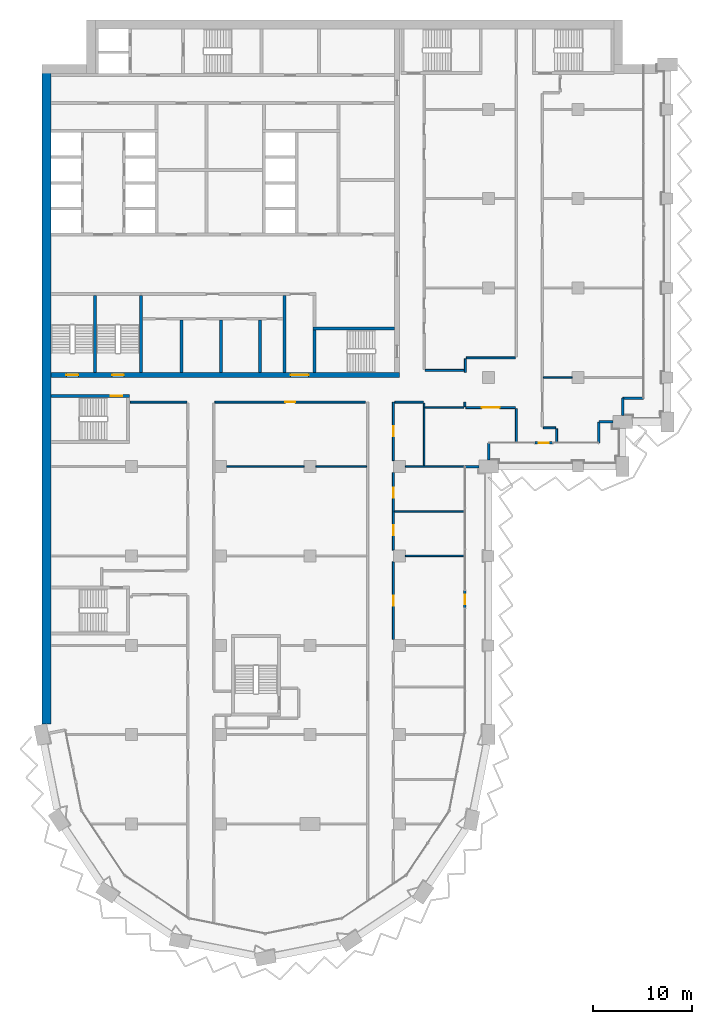
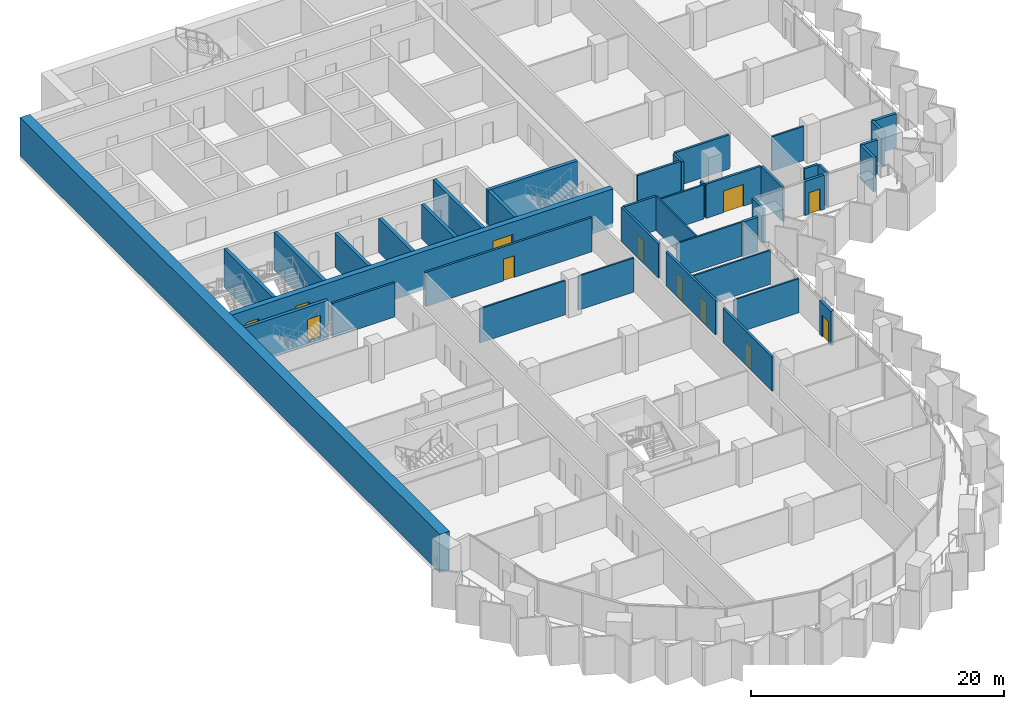
# One storey, part 11 of 22: 41 walls, 12 doors, 12 openings.
"""IFC4 building model written with IfcOpenShell, lengths in metres."""

from ifc_helpers import new_model, si_unit, direction, frame, frame_2d, origin, place, context, subcontext, project, spatial, rectangle, extrude, material, layer, layer_set, type_object, element, fill, save


model = new_model("IFC4")

# Units and contexts
model_context = context("Model", 3, precision=1e-05, world=origin(), true_north=direction((0.0, 1.0)))
body_context = subcontext(model_context, "Body", "Model", "MODEL_VIEW")
ifc_project = project(units=[si_unit("LENGTHUNIT", "METRE"), si_unit("AREAUNIT", "SQUARE_METRE"), si_unit("VOLUMEUNIT", "CUBIC_METRE"), si_unit("PLANEANGLEUNIT", "RADIAN"), si_unit("MASSUNIT", "GRAM", prefix="KILO")], contexts=[model_context])

# Site, building, storey
site_placement = place(None, origin())
site = spatial("IfcSite", under=ifc_project, at=site_placement, CompositionType="ELEMENT")
building_placement = place(site_placement, origin())
building = spatial("IfcBuilding", under=site, at=building_placement, Name="Hunhe Ridgeline Campus", CompositionType="ELEMENT")
storey_placement = place(building_placement, frame((0.0, 0.0, 141.199951171875)))
storey = spatial("IfcBuildingStorey", under=building, at=storey_placement, Name="L35", CompositionType="ELEMENT", Elevation=141.199951171875)

# Walls
ifc_material_1 = material(Name="Masonry concrete blockwork", Category="masonry")
ifc_layer_1 = layer(ifc_material_1, 0.300048828125)
ifc_layer_set_1 = layer_set([ifc_layer_1], Name="Core room partition 300 concrete block")
wall_type_1 = type_object("IfcWallType", Name="Core room partition 300 concrete block", PredefinedType="PARTITIONING", material=ifc_layer_set_1)
for number, where, z_axis, x_axis, name in (
    (1, (14.050048828125, 63.5, 0.0), (0.0, 0.0, 1.0), (0.0, 1.0, 0.0), "L35 core partition 42"),
    (2, (18.050048828125, 63.5, 0.0), (0.0, 0.0, 1.0), (0.0, 1.0, 0.0), "L35 core partition 45"),
    (3, (21.949951171875, 63.5, 0.0), (0.0, 0.0, 1.0), (0.0, 1.0, 0.0), "L35 core partition 47"),
):
    element("IfcWall", number, at=place(storey_placement, frame(where, z_axis=z_axis, x_axis=x_axis)), inside=storey, type_object=wall_type_1, Name=name, PredefinedType="PARTITIONING", context=body_context, shape_type="SweptSolid", body=[
        extrude(rectangle(XDim=5.25, YDim=0.300048828125, at=frame_2d((2.625, 0.0))), origin(), (0.0, 0.0, 1.0), 3.300048828125),
    ])
wall_1_placement = place(storey_placement, frame((24.449951171875, 63.5, 0.0), z_axis=(0.0, 0.0, 1.0), x_axis=(0.0, 1.0, 0.0)))
element("IfcWall", 4, at=wall_1_placement, inside=storey, type_object=wall_type_1, Name="L35 core partition 52", PredefinedType="PARTITIONING", context=body_context, shape_type="SweptSolid", body=[
    extrude(rectangle(XDim=7.75, YDim=0.300048828125, at=frame_2d((3.875, 0.0))), origin(), (0.0, 0.0, 1.0), 3.300048828125),
])

# Wall, openings, doors
ifc_material_2 = material(Name="Concrete C70", Category="concrete")
ifc_layer_2 = layer(ifc_material_2, 0.5)
ifc_layer_set_2 = layer_set([ifc_layer_2], Name="Core wall 500 reinforced concrete C70")
wall_type_2 = type_object("IfcWallType", Name="Core wall 500 reinforced concrete C70", PredefinedType="SOLIDWALL", material=ifc_layer_set_2)
wall_2_placement = place(storey_placement, frame((0.89990234375, 63.25, -0.39990234375), z_axis=(0.0, 0.0, 1.0), x_axis=(1.0, 0.0, 0.0)))
wall_2 = element("IfcWall", 5, at=wall_2_placement, inside=storey, type_object=wall_type_2, Name="L35 core wall 7", PredefinedType="SOLIDWALL", context=body_context, shape_type="SweptSolid", body=[
    extrude(rectangle(XDim=35.10009765625, YDim=0.5, at=frame_2d((17.550048828125, 0.0))), origin(), (0.0, 0.0, 1.0), 3.699951171875),
])
opening_1_placement = place(wall_2_placement, frame((24.14990234375, 0.0, 0.39990234375)))
opening_1 = element("IfcOpeningElement", 6, at=opening_1_placement, cuts=wall_2, Name="Opening CD6", PredefinedType="OPENING", context=body_context, shape_type="SweptSolid", body=[
    extrude(rectangle(XDim=1.800048828125, YDim=2.10009765625, at=frame_2d((0.89990234375, 1.050048828125))), frame((0.0, 0.25, 0.0), z_axis=(0.0, -1.0, 0.0), x_axis=(1.0, 0.0, 0.0)), (0.0, 0.0, 1.0), 0.5),
])
opening_2_placement = place(wall_2_placement, frame((1.550048828125, 0.0, 0.39990234375)))
opening_2 = element("IfcOpeningElement", 7, at=opening_2_placement, cuts=wall_2, Name="Opening CD13", PredefinedType="OPENING", context=body_context, shape_type="SweptSolid", body=[
    extrude(rectangle(XDim=1.199951171875, YDim=2.10009765625, at=frame_2d((0.60009765625, 1.050048828125))), frame((0.0, 0.25, 0.0), z_axis=(0.0, -1.0, 0.0), x_axis=(1.0, 0.0, 0.0)), (0.0, 0.0, 1.0), 0.5),
])
opening_3_placement = place(wall_2_placement, frame((6.14990234375, 0.0, 0.39990234375)))
opening_3 = element("IfcOpeningElement", 8, at=opening_3_placement, cuts=wall_2, Name="Opening CD14", PredefinedType="OPENING", context=body_context, shape_type="SweptSolid", body=[
    extrude(rectangle(XDim=1.199951171875, YDim=2.10009765625, at=frame_2d((0.60009765625, 1.050048828125))), frame((0.0, 0.25, 0.0), z_axis=(0.0, -1.0, 0.0), x_axis=(1.0, 0.0, 0.0)), (0.0, 0.0, 1.0), 0.5),
])
ifc_material_3 = material(Name="Anodised aluminium and glass", Category="aluminium")
door_type_1 = type_object("IfcDoorType", Name="Glazed double door 1800x2100", OperationType="DOUBLE_DOOR_SINGLE_SWING", PredefinedType="DOOR", material=ifc_material_3)
door_1_placement = place(opening_1_placement, frame((1.800048828125, 0.0, 0.0), z_axis=(0.0, 0.0, 1.0), x_axis=(-1.0, 0.0, 0.0)))
door_1 = element("IfcDoor", 9, at=door_1_placement, inside=storey, type_object=door_type_1, Name="L35 door VEST-FLOOR", OperationType="DOUBLE_DOOR_SINGLE_SWING", OverallHeight=2.10009765625, OverallWidth=1.800048828125, PredefinedType="DOOR", context=body_context, shape_type="SweptSolid", body=[
    extrude(rectangle(XDim=1.800048828125, YDim=2.10009765625, at=frame_2d((0.89990234375, 1.050048828125))), frame((0.0, 0.02490234375, 0.0), z_axis=(0.0, -1.0, 0.0), x_axis=(1.0, 0.0, 0.0)), (0.0, 0.0, 1.0), 0.050048828125),
])
fill(opening_1, door_1)
ifc_material_4 = material(Name="Hollow metal fire door leaf")
door_type_2 = type_object("IfcDoorType", Name="Stair door 1200x2100 FD60", OperationType="SINGLE_SWING_LEFT", PredefinedType="DOOR", material=ifc_material_4)
door_2_placement = place(opening_2_placement, frame((1.199951171875, 0.0, 0.0), z_axis=(0.0, 0.0, 1.0), x_axis=(-1.0, 0.0, 0.0)))
door_2 = element("IfcDoor", 10, at=door_2_placement, inside=storey, type_object=door_type_2, Name="L35 door S3", OperationType="SINGLE_SWING_RIGHT", OverallHeight=2.10009765625, OverallWidth=1.199951171875, PredefinedType="DOOR", context=body_context, shape_type="SweptSolid", body=[
    extrude(rectangle(XDim=1.199951171875, YDim=2.10009765625, at=frame_2d((0.60009765625, 1.050048828125))), frame((0.0, 0.02490234375, 0.0), z_axis=(0.0, -1.0, 0.0), x_axis=(1.0, 0.0, 0.0)), (0.0, 0.0, 1.0), 0.050048828125),
])
fill(opening_2, door_2)
door_3_placement = place(opening_3_placement, frame((1.199951171875, 0.0, 0.0), z_axis=(0.0, 0.0, 1.0), x_axis=(-1.0, 0.0, 0.0)))
door_3 = element("IfcDoor", 11, at=door_3_placement, inside=storey, type_object=door_type_2, Name="L35 door S4", OperationType="SINGLE_SWING_LEFT", OverallHeight=2.10009765625, OverallWidth=1.199951171875, PredefinedType="DOOR", context=body_context, shape_type="SweptSolid", body=[
    extrude(rectangle(XDim=1.199951171875, YDim=2.10009765625, at=frame_2d((0.60009765625, 1.050048828125))), frame((0.0, 0.02490234375, 0.0), z_axis=(0.0, -1.0, 0.0), x_axis=(1.0, 0.0, 0.0)), (0.0, 0.0, 1.0), 0.050048828125),
])
fill(opening_3, door_3)

# Walls
ifc_material_5 = material(Name="Concrete C30", Category="concrete")
ifc_layer_3 = layer(ifc_material_5, 0.25)
ifc_layer_set_3 = layer_set([ifc_layer_3], Name="Corner return wall 250 Concrete C30")
wall_type_3 = type_object("IfcWallType", Name="Corner return wall 250 Concrete C30", PredefinedType="SOLIDWALL", material=ifc_layer_set_3)
wall_3_placement = place(storey_placement, frame((42.59912109375, 54.00048828125, 0.0), z_axis=(0.0, 0.0, 1.0), x_axis=(0.999999984814, 0.000174276749, 0.0)))
element("IfcWall", 12, at=wall_3_placement, inside=storey, type_object=wall_type_3, Name="Corner return wall 2", PredefinedType="SOLIDWALL", context=body_context, shape_type="SweptSolid", body=[
    extrude(rectangle(XDim=1.40087890625, YDim=0.25, at=frame_2d((0.700439453125, 0.0))), origin(), (0.0, 0.0, 1.0), 3.300048828125),
])
wall_4_placement = place(storey_placement, frame((44.999267578125, 54.64990234375, 0.0), z_axis=(0.0, 0.0, 1.0), x_axis=(0.000278862231, 0.999999961118, 0.0)))
element("IfcWall", 13, at=wall_4_placement, inside=storey, type_object=wall_type_3, Name="Corner return wall 3", PredefinedType="SOLIDWALL", context=body_context, shape_type="SweptSolid", body=[
    extrude(rectangle(XDim=1.7509765625, YDim=0.25, at=frame_2d((0.87548828125, 0.0))), origin(), (0.0, 0.0, 1.0), 3.300048828125),
])
wall_5_placement = place(storey_placement, frame((56.09912109375, 56.40087890625, 0.0), z_axis=(0.0, 0.0, 1.0), x_axis=(0.00011626555, 0.999999993241, 0.0)))
element("IfcWall", 14, at=wall_5_placement, inside=storey, type_object=wall_type_3, Name="Corner return wall 4", PredefinedType="SOLIDWALL", context=body_context, shape_type="SweptSolid", body=[
    extrude(rectangle(XDim=2.099853515625, YDim=0.25, at=frame_2d((1.0498046875, 0.0))), origin(), (0.0, 0.0, 1.0), 3.300048828125),
])
wall_6_placement = place(storey_placement, frame((56.099365234375, 58.500732421875, 0.0), z_axis=(0.0, 0.0, 1.0), x_axis=(0.999999984809, 0.000174307127, 0.0)))
element("IfcWall", 15, at=wall_6_placement, inside=storey, type_object=wall_type_3, Name="Corner return wall 5", PredefinedType="SOLIDWALL", context=body_context, shape_type="SweptSolid", body=[
    extrude(rectangle(XDim=1.400634765625, YDim=0.25, at=frame_2d((0.7001953125, 0.0))), origin(), (0.0, 0.0, 1.0), 3.300048828125),
])
wall_7_placement = place(storey_placement, frame((58.4990234375, 59.14990234375, 0.0), z_axis=(0.0, 0.0, 1.0), x_axis=(0.000139450563, 0.999999990277, 0.0)))
element("IfcWall", 16, at=wall_7_placement, inside=storey, type_object=wall_type_3, Name="Corner return wall 6", PredefinedType="SOLIDWALL", context=body_context, shape_type="SweptSolid", body=[
    extrude(rectangle(XDim=1.750732421875, YDim=0.25, at=frame_2d((0.87548828125, 0.0))), origin(), (0.0, 0.0, 1.0), 3.300048828125),
])
wall_8_placement = place(storey_placement, frame((58.499267578125, 60.900634765625, 0.0), z_axis=(0.0, 0.0, 1.0), x_axis=(0.999999993241, 0.00011626555, 0.0)))
element("IfcWall", 17, at=wall_8_placement, inside=storey, type_object=wall_type_3, Name="Corner return wall 7", PredefinedType="SOLIDWALL", context=body_context, shape_type="SweptSolid", body=[
    extrude(rectangle(XDim=2.099853515625, YDim=0.25, at=frame_2d((1.0498046875, 0.0))), origin(), (0.0, 0.0, 1.0), 3.300048828125),
])
ifc_material_6 = material(Name="Gypsum board partition")
ifc_layer_4 = layer(ifc_material_6, 0.199951171875)
ifc_layer_set_4 = layer_set([ifc_layer_4], Name="Corridor partition 200 gypsum board on steel studs")
wall_type_4 = type_object("IfcWallType", Name="Corridor partition 200 gypsum board on steel studs", PredefinedType="PARTITIONING", material=ifc_layer_set_4)
wall_9_placement = place(storey_placement, frame((50.5, 57.90087890625, 0.0), z_axis=(0.0, 0.0, 1.0), x_axis=(1.0, 0.0, 0.0)))
element("IfcWall", 18, at=wall_9_placement, inside=storey, type_object=wall_type_4, Name="F-L35-wall-036", PredefinedType="PARTITIONING", context=body_context, shape_type="SweptSolid", body=[
    extrude(rectangle(XDim=1.2490234375, YDim=0.199951171875, at=frame_2d((0.62451171875, 0.0))), origin(), (0.0, 0.0, 1.0), 3.300048828125),
])

# Wall, opening, door
wall_10_placement = place(storey_placement, frame((47.699951171875, 59.950927734375, 0.0), z_axis=(0.0, 0.0, 1.0), x_axis=(-1.0, 0.0, 0.0)))
wall_10 = element("IfcWall", 19, at=wall_10_placement, inside=storey, type_object=wall_type_4, Name="F-L35-wall-038", PredefinedType="PARTITIONING", context=body_context, shape_type="SweptSolid", body=[
    extrude(rectangle(XDim=5.0, YDim=0.199951171875, at=frame_2d((2.5, 0.0))), origin(), (0.0, 0.0, 1.0), 3.300048828125),
])
opening_4_placement = place(wall_10_placement, frame((1.60009765625, 0.0, 0.0)))
opening_4 = element("IfcOpeningElement", 20, at=opening_4_placement, cuts=wall_10, Name="Opening RD2-029", PredefinedType="OPENING", context=body_context, shape_type="SweptSolid", body=[
    extrude(rectangle(XDim=1.800048828125, YDim=2.10009765625, at=frame_2d((0.89990234375, 1.050048828125))), frame((0.0, 0.10009765625, 0.0), z_axis=(0.0, -1.0, 0.0), x_axis=(1.0, 0.0, 0.0)), (0.0, 0.0, 1.0), 0.199951171875),
])
ifc_material_7 = material(Name="Timber door leaf", Category="wood")
door_type_3 = type_object("IfcDoorType", Name="Double fire door 1800x2100 timber FD60", OperationType="DOUBLE_DOOR_SINGLE_SWING", PredefinedType="DOOR", material=ifc_material_7)
door_4_placement = place(opening_4_placement, origin())
door_4 = element("IfcDoor", 21, at=door_4_placement, inside=storey, type_object=door_type_3, Name="F-L35-door-029", OperationType="DOUBLE_DOOR_SINGLE_SWING", OverallHeight=2.10009765625, OverallWidth=1.800048828125, PredefinedType="DOOR", context=body_context, shape_type="SweptSolid", body=[
    extrude(rectangle(XDim=1.800048828125, YDim=2.10009765625, at=frame_2d((0.89990234375, 1.050048828125))), frame((0.0, 0.02490234375, 0.0), z_axis=(0.0, -1.0, 0.0), x_axis=(1.0, 0.0, 0.0)), (0.0, 0.0, 1.0), 0.050048828125),
])
fill(opening_4, door_4)

# Wall
wall_11_placement = place(storey_placement, frame((14.60009765625, 60.5, 0.0), z_axis=(0.0, 0.0, 1.0), x_axis=(-1.0, 0.0, 0.0)))
element("IfcWall", 22, at=wall_11_placement, inside=storey, type_object=wall_type_4, Name="F-L35-wall-039", PredefinedType="PARTITIONING", context=body_context, shape_type="SweptSolid", body=[
    extrude(rectangle(XDim=5.696044921875, YDim=0.199951171875, at=frame_2d((2.84814453125, 0.0))), origin(), (0.0, 0.0, 1.0), 3.300048828125),
])

# Wall, opening, door
wall_12_placement = place(storey_placement, frame((32.580810546875, 60.5, 0.0), z_axis=(0.0, 0.0, 1.0), x_axis=(-1.0, 0.0, 0.0)))
wall_12 = element("IfcWall", 23, at=wall_12_placement, inside=storey, type_object=wall_type_4, Name="F-L35-wall-040", PredefinedType="PARTITIONING", context=body_context, shape_type="SweptSolid", body=[
    extrude(rectangle(XDim=15.180908203125, YDim=0.199951171875, at=frame_2d((7.59033203125, 0.0))), origin(), (0.0, 0.0, 1.0), 3.300048828125),
])
opening_5_placement = place(wall_12_placement, frame((7.09033203125, 0.0, 0.0)))
opening_5 = element("IfcOpeningElement", 24, at=opening_5_placement, cuts=wall_12, Name="Opening RD1-030", PredefinedType="OPENING", context=body_context, shape_type="SweptSolid", body=[
    extrude(rectangle(XDim=1.0, YDim=2.10009765625, at=frame_2d((0.5, 1.050048828125))), frame((0.0, 0.10009765625, 0.0), z_axis=(0.0, -1.0, 0.0), x_axis=(1.0, 0.0, 0.0)), (0.0, 0.0, 1.0), 0.199951171875),
])
door_type_4 = type_object("IfcDoorType", Name="Single fire door 1000x2100 timber FD60", OperationType="NOTDEFINED", PredefinedType="DOOR", material=ifc_material_7)
door_5_placement = place(opening_5_placement, origin())
door_5 = element("IfcDoor", 25, at=door_5_placement, inside=storey, type_object=door_type_4, Name="F-L35-door-030", OperationType="SINGLE_SWING_LEFT", OverallHeight=2.10009765625, OverallWidth=1.0, PredefinedType="DOOR", context=body_context, shape_type="SweptSolid", body=[
    extrude(rectangle(XDim=1.0, YDim=2.10009765625, at=frame_2d((0.5, 1.050048828125))), frame((0.0, 0.02490234375, 0.0), z_axis=(0.0, -1.0, 0.0), x_axis=(1.0, 0.0, 0.0)), (0.0, 0.0, 1.0), 0.050048828125),
])
fill(opening_5, door_5)

# Walls
wall_13_placement = place(storey_placement, frame((38.425048828125, 60.5, 0.0), z_axis=(0.0, 0.0, 1.0), x_axis=(-1.0, 0.0, 0.0)))
element("IfcWall", 26, at=wall_13_placement, inside=storey, type_object=wall_type_4, Name="F-L35-wall-041", PredefinedType="PARTITIONING", context=body_context, shape_type="SweptSolid", body=[
    extrude(rectangle(XDim=2.884765625, YDim=0.199951171875, at=frame_2d((1.4423828125, 0.0))), origin(), (0.0, 0.0, 1.0), 3.300048828125),
])
wall_14_placement = place(storey_placement, frame((38.60009765625, 63.699951171875, 0.0), z_axis=(0.0, 0.0, 1.0), x_axis=(1.0, 0.0, 0.0)))
element("IfcWall", 27, at=wall_14_placement, inside=storey, type_object=wall_type_4, Name="F-L35-wall-044", PredefinedType="PARTITIONING", context=body_context, shape_type="SweptSolid", body=[
    extrude(rectangle(XDim=3.949951171875, YDim=0.199951171875, at=frame_2d((1.97509765625, 0.0))), origin(), (0.0, 0.0, 1.0), 3.300048828125),
])
wall_15_placement = place(storey_placement, frame((42.75, 64.949951171875, 0.0), z_axis=(0.0, 0.0, 1.0), x_axis=(1.0, 0.0, 0.0)))
element("IfcWall", 28, at=wall_15_placement, inside=storey, type_object=wall_type_4, Name="F-L35-wall-045", PredefinedType="PARTITIONING", context=body_context, shape_type="SweptSolid", body=[
    extrude(rectangle(XDim=4.949951171875, YDim=0.199951171875, at=frame_2d((2.47509765625, 0.0))), origin(), (0.0, 0.0, 1.0), 3.300048828125),
])

# Wall, opening, door
wall_16_placement = place(storey_placement, frame((35.39990234375, 44.39990234375, 0.0), z_axis=(0.0, 0.0, 1.0), x_axis=(0.0, -1.0, 0.0)))
wall_16 = element("IfcWall", 29, at=wall_16_placement, inside=storey, type_object=wall_type_4, Name="F-L35-wall-072", PredefinedType="PARTITIONING", context=body_context, shape_type="SweptSolid", body=[
    extrude(rectangle(XDim=7.7998046875, YDim=0.199951171875, at=frame_2d((3.89990234375, 0.0))), origin(), (0.0, 0.0, 1.0), 3.300048828125),
])
opening_6_placement = place(wall_16_placement, frame((3.39990234375, 0.0, 0.0)))
opening_6 = element("IfcOpeningElement", 30, at=opening_6_placement, cuts=wall_16, Name="Opening RD1-017", PredefinedType="OPENING", context=body_context, shape_type="SweptSolid", body=[
    extrude(rectangle(XDim=1.0, YDim=2.10009765625, at=frame_2d((0.5, 1.050048828125))), frame((0.0, 0.10009765625, 0.0), z_axis=(0.0, -1.0, 0.0), x_axis=(1.0, 0.0, 0.0)), (0.0, 0.0, 1.0), 0.199951171875),
])
door_6_placement = place(opening_6_placement, origin())
door_6 = element("IfcDoor", 31, at=door_6_placement, inside=storey, type_object=door_type_4, Name="F-L35-door-017", OperationType="SINGLE_SWING_LEFT", OverallHeight=2.10009765625, OverallWidth=1.0, PredefinedType="DOOR", context=body_context, shape_type="SweptSolid", body=[
    extrude(rectangle(XDim=1.0, YDim=2.10009765625, at=frame_2d((0.5, 1.050048828125))), frame((0.0, 0.02490234375, 0.0), z_axis=(0.0, -1.0, 0.0), x_axis=(1.0, 0.0, 0.0)), (0.0, 0.0, 1.0), 0.050048828125),
])
fill(opening_6, door_6)

# Wall, openings, doors
wall_17_placement = place(storey_placement, frame((35.39990234375, 53.39990234375, 0.0), z_axis=(0.0, 0.0, 1.0), x_axis=(0.0, -1.0, 0.0)))
wall_17 = element("IfcWall", 32, at=wall_17_placement, inside=storey, type_object=wall_type_4, Name="F-L35-wall-073", PredefinedType="PARTITIONING", context=body_context, shape_type="SweptSolid", body=[
    extrude(rectangle(XDim=7.7998046875, YDim=0.199951171875, at=frame_2d((3.89990234375, 0.0))), origin(), (0.0, 0.0, 1.0), 3.300048828125),
])
opening_7_placement = place(wall_17_placement, frame((5.287109375, 0.0, 0.0)))
opening_7 = element("IfcOpeningElement", 33, at=opening_7_placement, cuts=wall_17, Name="Opening RD1-021", PredefinedType="OPENING", context=body_context, shape_type="SweptSolid", body=[
    extrude(rectangle(XDim=1.0, YDim=2.10009765625, at=frame_2d((0.5, 1.050048828125))), frame((0.0, 0.10009765625, 0.0), z_axis=(0.0, -1.0, 0.0), x_axis=(1.0, 0.0, 0.0)), (0.0, 0.0, 1.0), 0.199951171875),
])
opening_8_placement = place(wall_17_placement, frame((1.512939453125, 0.0, 0.0)))
opening_8 = element("IfcOpeningElement", 34, at=opening_8_placement, cuts=wall_17, Name="Opening RD1-024", PredefinedType="OPENING", context=body_context, shape_type="SweptSolid", body=[
    extrude(rectangle(XDim=1.0, YDim=2.10009765625, at=frame_2d((0.5, 1.050048828125))), frame((0.0, 0.10009765625, 0.0), z_axis=(0.0, -1.0, 0.0), x_axis=(1.0, 0.0, 0.0)), (0.0, 0.0, 1.0), 0.199951171875),
])
door_7_placement = place(opening_7_placement, origin())
door_7 = element("IfcDoor", 35, at=door_7_placement, inside=storey, type_object=door_type_4, Name="F-L35-door-021", OperationType="SINGLE_SWING_RIGHT", OverallHeight=2.10009765625, OverallWidth=1.0, PredefinedType="DOOR", context=body_context, shape_type="SweptSolid", body=[
    extrude(rectangle(XDim=1.0, YDim=2.10009765625, at=frame_2d((0.5, 1.050048828125))), frame((0.0, 0.02490234375, 0.0), z_axis=(0.0, -1.0, 0.0), x_axis=(1.0, 0.0, 0.0)), (0.0, 0.0, 1.0), 0.050048828125),
])
fill(opening_7, door_7)
door_8_placement = place(opening_8_placement, origin())
door_8 = element("IfcDoor", 36, at=door_8_placement, inside=storey, type_object=door_type_4, Name="F-L35-door-024", OperationType="SINGLE_SWING_LEFT", OverallHeight=2.10009765625, OverallWidth=1.0, PredefinedType="DOOR", context=body_context, shape_type="SweptSolid", body=[
    extrude(rectangle(XDim=1.0, YDim=2.10009765625, at=frame_2d((0.5, 1.050048828125))), frame((0.0, 0.02490234375, 0.0), z_axis=(0.0, -1.0, 0.0), x_axis=(1.0, 0.0, 0.0)), (0.0, 0.0, 1.0), 0.050048828125),
])
fill(opening_8, door_8)

# Wall, opening, door
wall_18_placement = place(storey_placement, frame((35.39990234375, 60.5, 0.0), z_axis=(0.0, 0.0, 1.0), x_axis=(0.0, -1.0, 0.0)))
wall_18 = element("IfcWall", 37, at=wall_18_placement, inside=storey, type_object=wall_type_4, Name="F-L35-wall-074", PredefinedType="PARTITIONING", context=body_context, shape_type="SweptSolid", body=[
    extrude(rectangle(XDim=5.89990234375, YDim=0.199951171875, at=frame_2d((2.949951171875, 0.0))), origin(), (0.0, 0.0, 1.0), 3.300048828125),
])
opening_9_placement = place(wall_18_placement, frame((2.449951171875, 0.0, 0.0)))
opening_9 = element("IfcOpeningElement", 38, at=opening_9_placement, cuts=wall_18, Name="Opening RD1-028", PredefinedType="OPENING", context=body_context, shape_type="SweptSolid", body=[
    extrude(rectangle(XDim=1.0, YDim=2.10009765625, at=frame_2d((0.5, 1.050048828125))), frame((0.0, 0.10009765625, 0.0), z_axis=(0.0, -1.0, 0.0), x_axis=(1.0, 0.0, 0.0)), (0.0, 0.0, 1.0), 0.199951171875),
])
door_9_placement = place(opening_9_placement, origin())
door_9 = element("IfcDoor", 39, at=door_9_placement, inside=storey, type_object=door_type_4, Name="F-L35-door-028", OperationType="SINGLE_SWING_RIGHT", OverallHeight=2.10009765625, OverallWidth=1.0, PredefinedType="DOOR", context=body_context, shape_type="SweptSolid", body=[
    extrude(rectangle(XDim=1.0, YDim=2.10009765625, at=frame_2d((0.5, 1.050048828125))), frame((0.0, 0.02490234375, 0.0), z_axis=(0.0, -1.0, 0.0), x_axis=(1.0, 0.0, 0.0)), (0.0, 0.0, 1.0), 0.050048828125),
])
fill(opening_9, door_9)

# Walls
wall_19_placement = place(storey_placement, frame((42.60009765625, 60.051025390625, 0.0), z_axis=(0.0, 0.0, 1.0), x_axis=(0.0, 1.0, 0.0)))
element("IfcWall", 40, at=wall_19_placement, inside=storey, type_object=wall_type_4, Name="F-L35-wall-077", PredefinedType="PARTITIONING", context=body_context, shape_type="SweptSolid", body=[
    extrude(rectangle(XDim=0.448974609375, YDim=0.199951171875, at=frame_2d((0.224609375, 0.0))), origin(), (0.0, 0.0, 1.0), 3.300048828125),
])
wall_20_placement = place(storey_placement, frame((42.64990234375, 63.487548828125, 0.0), z_axis=(0.0, 0.0, 1.0), x_axis=(0.0, 1.0, 0.0)))
element("IfcWall", 41, at=wall_20_placement, inside=storey, type_object=wall_type_4, Name="F-L35-wall-078", PredefinedType="PARTITIONING", context=body_context, shape_type="SweptSolid", body=[
    extrude(rectangle(XDim=1.362548828125, YDim=0.199951171875, at=frame_2d((0.68115234375, 0.0))), origin(), (0.0, 0.0, 1.0), 3.300048828125),
])
wall_21_placement = place(storey_placement, frame((47.800048828125, 56.455078125, 0.0), z_axis=(0.0, 0.0, 1.0), x_axis=(0.0, 1.0, 0.0)))
element("IfcWall", 42, at=wall_21_placement, inside=storey, type_object=wall_type_4, Name="F-L35-wall-079", PredefinedType="PARTITIONING", context=body_context, shape_type="SweptSolid", body=[
    extrude(rectangle(XDim=3.39599609375, YDim=0.199951171875, at=frame_2d((1.697998046875, 0.0))), origin(), (0.0, 0.0, 1.0), 3.300048828125),
])
wall_22_placement = place(storey_placement, frame((51.84912109375, 57.801025390625, 0.0), z_axis=(0.0, 0.0, 1.0), x_axis=(0.0, -1.0, 0.0)))
element("IfcWall", 43, at=wall_22_placement, inside=storey, type_object=wall_type_4, Name="F-L35-wall-082", PredefinedType="PARTITIONING", context=body_context, shape_type="SweptSolid", body=[
    extrude(rectangle(XDim=1.345947265625, YDim=0.199951171875, at=frame_2d((0.6728515625, 0.0))), origin(), (0.0, 0.0, 1.0), 3.300048828125),
])

# Wall, opening, door
ifc_layer_5 = layer(ifc_material_5, 0.25)
ifc_layer_set_5 = layer_set([ifc_layer_5], Name="Loggia door pier wall 250 Concrete C30")
wall_type_5 = type_object("IfcWallType", Name="Loggia door pier wall 250 Concrete C30", PredefinedType="SOLIDWALL", material=ifc_layer_set_5)
wall_23_placement = place(storey_placement, frame((42.59912109375, 39.718505859375, 0.0), z_axis=(0.0, 0.0, 1.0), x_axis=(0.0, 1.0, 0.0)))
wall_23 = element("IfcWall", 44, at=wall_23_placement, inside=storey, type_object=wall_type_5, Name="Loggia door pier 3", PredefinedType="SOLIDWALL", context=body_context, shape_type="SweptSolid", body=[
    extrude(rectangle(XDim=1.800048828125, YDim=0.25, at=frame_2d((0.89990234375, 0.0))), origin(), (0.0, 0.0, 1.0), 3.300048828125),
])
opening_10_placement = place(wall_23_placement, frame((0.39990234375, 0.0, 0.0)))
opening_10 = element("IfcOpeningElement", 45, at=opening_10_placement, cuts=wall_23, Name="Opening BD305", PredefinedType="OPENING", context=body_context, shape_type="SweptSolid", body=[
    extrude(rectangle(XDim=1.0, YDim=2.10009765625, at=frame_2d((0.5, 1.050048828125))), frame((0.0, 0.125, 0.0), z_axis=(0.0, -1.0, 0.0), x_axis=(1.0, 0.0, 0.0)), (0.0, 0.0, 1.0), 0.25),
])
ifc_material_8 = material(Name="Aluminium 6063", Category="aluminium")
door_type_5 = type_object("IfcDoorType", Name="Loggia glazed door 1000x2100", OperationType="NOTDEFINED", PredefinedType="DOOR", material=ifc_material_8)
door_10_placement = place(opening_10_placement, frame((1.0, 0.0, 0.0), z_axis=(0.0, 0.0, 1.0), x_axis=(-1.0, 0.0, 0.0)))
door_10 = element("IfcDoor", 46, at=door_10_placement, inside=storey, type_object=door_type_5, Name="Loggia door BD305", OperationType="SINGLE_SWING_RIGHT", OverallHeight=2.10009765625, OverallWidth=1.0, PredefinedType="DOOR", context=body_context, shape_type="SweptSolid", body=[
    extrude(rectangle(XDim=1.0, YDim=2.10009765625, at=frame_2d((0.5, 1.050048828125))), frame((0.0, 0.02490234375, 0.0), z_axis=(0.0, -1.0, 0.0), x_axis=(1.0, 0.0, 0.0)), (0.0, 0.0, 1.0), 0.050048828125),
])
fill(opening_10, door_10)

wall_24_placement = place(storey_placement, frame((49.6494140625, 56.40087890625, 0.0), z_axis=(0.0, 0.0, 1.0), x_axis=(1.0, 0.0, 0.0)))
wall_24 = element("IfcWall", 47, at=wall_24_placement, inside=storey, type_object=wall_type_5, Name="Loggia door pier 4", PredefinedType="SOLIDWALL", context=body_context, shape_type="SweptSolid", body=[
    extrude(rectangle(XDim=1.800048828125, YDim=0.25, at=frame_2d((0.89990234375, 0.0))), origin(), (0.0, 0.0, 1.0), 3.300048828125),
])
opening_11_placement = place(wall_24_placement, frame((0.39990234375, 0.0, 0.0)))
opening_11 = element("IfcOpeningElement", 48, at=opening_11_placement, cuts=wall_24, Name="Opening BD306", PredefinedType="OPENING", context=body_context, shape_type="SweptSolid", body=[
    extrude(rectangle(XDim=1.0, YDim=2.10009765625, at=frame_2d((0.5, 1.050048828125))), frame((0.0, 0.125, 0.0), z_axis=(0.0, -1.0, 0.0), x_axis=(1.0, 0.0, 0.0)), (0.0, 0.0, 1.0), 0.25),
])
door_11_placement = place(opening_11_placement, frame((1.0, 0.0, 0.0), z_axis=(0.0, 0.0, 1.0), x_axis=(-1.0, 0.0, 0.0)))
door_11 = element("IfcDoor", 49, at=door_11_placement, inside=storey, type_object=door_type_5, Name="Loggia door BD306", OperationType="SINGLE_SWING_LEFT", OverallHeight=2.10009765625, OverallWidth=1.0, PredefinedType="DOOR", context=body_context, shape_type="SweptSolid", body=[
    extrude(rectangle(XDim=1.0, YDim=2.10009765625, at=frame_2d((0.5, 1.050048828125))), frame((0.0, 0.02490234375, 0.0), z_axis=(0.0, -1.0, 0.0), x_axis=(1.0, 0.0, 0.0)), (0.0, 0.0, 1.0), 0.050048828125),
])
fill(opening_11, door_11)

# Walls
ifc_layer_6 = layer(ifc_material_6, 0.14990234375)
ifc_layer_set_6 = layer_set([ifc_layer_6], Name="Room partition 150 gypsum board on steel studs")
wall_type_6 = type_object("IfcWallType", Name="Room partition 150 gypsum board on steel studs", PredefinedType="PARTITIONING", material=ifc_layer_set_6)
wall_25_placement = place(storey_placement, frame((36.60009765625, 45.0, 0.0), z_axis=(0.0, 0.0, 1.0), x_axis=(1.0, 0.0, 0.0)))
element("IfcWall", 50, at=wall_25_placement, inside=storey, type_object=wall_type_6, Name="F-L35-wall-029", PredefinedType="PARTITIONING", context=body_context, shape_type="SweptSolid", body=[
    extrude(rectangle(XDim=5.945068359375, YDim=0.14990234375, at=frame_2d((2.97265625, 0.0))), origin(), (0.0, 0.0, 1.0), 3.300048828125),
])
wall_26_placement = place(storey_placement, frame((35.5, 49.5, 0.0), z_axis=(0.0, 0.0, 1.0), x_axis=(1.0, 0.0, 0.0)))
element("IfcWall", 51, at=wall_26_placement, inside=storey, type_object=wall_type_6, Name="F-L35-wall-030", PredefinedType="PARTITIONING", context=body_context, shape_type="SweptSolid", body=[
    extrude(rectangle(XDim=7.045166015625, YDim=0.14990234375, at=frame_2d((3.5224609375, 0.0))), origin(), (0.0, 0.0, 1.0), 3.300048828125),
])
wall_27_placement = place(storey_placement, frame((18.60009765625, 54.0, 0.0), z_axis=(0.0, 0.0, 1.0), x_axis=(1.0, 0.0, 0.0)))
element("IfcWall", 52, at=wall_27_placement, inside=storey, type_object=wall_type_6, Name="F-L35-wall-033", PredefinedType="PARTITIONING", context=body_context, shape_type="SweptSolid", body=[
    extrude(rectangle(XDim=7.7998046875, YDim=0.14990234375, at=frame_2d((3.89990234375, 0.0))), origin(), (0.0, 0.0, 1.0), 3.300048828125),
])
wall_28_placement = place(storey_placement, frame((27.60009765625, 54.0, 0.0), z_axis=(0.0, 0.0, 1.0), x_axis=(1.0, 0.0, 0.0)))
element("IfcWall", 53, at=wall_28_placement, inside=storey, type_object=wall_type_6, Name="F-L35-wall-034", PredefinedType="PARTITIONING", context=body_context, shape_type="SweptSolid", body=[
    extrude(rectangle(XDim=5.099853515625, YDim=0.14990234375, at=frame_2d((2.5498046875, 0.0))), origin(), (0.0, 0.0, 1.0), 3.300048828125),
])
wall_29_placement = place(storey_placement, frame((36.60009765625, 54.0, 0.0), z_axis=(0.0, 0.0, 1.0), x_axis=(1.0, 0.0, 0.0)))
element("IfcWall", 54, at=wall_29_placement, inside=storey, type_object=wall_type_6, Name="F-L35-wall-035", PredefinedType="PARTITIONING", context=body_context, shape_type="SweptSolid", body=[
    extrude(rectangle(XDim=5.945068359375, YDim=0.14990234375, at=frame_2d((2.97265625, 0.0))), origin(), (0.0, 0.0, 1.0), 3.300048828125),
])
wall_30_placement = place(storey_placement, frame((38.574951171875, 59.950927734375, 0.0), z_axis=(0.0, 0.0, 1.0), x_axis=(1.0, 0.0, 0.0)))
element("IfcWall", 55, at=wall_30_placement, inside=storey, type_object=wall_type_6, Name="F-L35-wall-037", PredefinedType="PARTITIONING", context=body_context, shape_type="SweptSolid", body=[
    extrude(rectangle(XDim=3.925048828125, YDim=0.14990234375, at=frame_2d((1.96240234375, 0.0))), origin(), (0.0, 0.0, 1.0), 3.300048828125),
])
wall_31_placement = place(storey_placement, frame((50.5, 63.0, 0.0), z_axis=(0.0, 0.0, 1.0), x_axis=(1.0, 0.0, 0.0)))
element("IfcWall", 56, at=wall_31_placement, inside=storey, type_object=wall_type_6, Name="F-L35-wall-042", PredefinedType="PARTITIONING", context=body_context, shape_type="SweptSolid", body=[
    extrude(rectangle(XDim=2.89990234375, YDim=0.14990234375, at=frame_2d((1.449951171875, 0.0))), origin(), (0.0, 0.0, 1.0), 3.300048828125),
])
wall_32_placement = place(storey_placement, frame((38.5, 60.39990234375, 0.0), z_axis=(0.0, 0.0, 1.0), x_axis=(0.0, -1.0, 0.0)))
element("IfcWall", 57, at=wall_32_placement, inside=storey, type_object=wall_type_6, Name="F-L35-wall-075", PredefinedType="PARTITIONING", context=body_context, shape_type="SweptSolid", body=[
    extrude(rectangle(XDim=6.324951171875, YDim=0.14990234375, at=frame_2d((3.16259765625, 0.0))), origin(), (0.0, 0.0, 1.0), 3.300048828125),
])
ifc_layer_7 = layer(ifc_material_2, 0.89990234375)
ifc_layer_set_7 = layer_set([ifc_layer_7], Name="Spine wall 900 Concrete C70")
wall_type_7 = type_object("IfcWallType", Name="Spine wall 900 Concrete C70", PredefinedType="SHEAR", material=ifc_layer_set_7)
wall_33_placement = place(storey_placement, frame((0.449951171875, 94.5, 0.0), z_axis=(0.0, 0.0, 1.0), x_axis=(0.0, -1.0, 0.0)))
element("IfcWall", 58, at=wall_33_placement, inside=storey, type_object=wall_type_7, Name="Spine wall SW2-1 L35", PredefinedType="SHEAR", context=body_context, shape_type="SweptSolid", body=[
    extrude(rectangle(XDim=66.430419921875, YDim=0.89990234375, at=frame_2d((33.21533203125, 0.0))), origin(), (0.0, 0.0, 1.0), 3.699951171875),
])

# Wall, opening, door
ifc_layer_8 = layer(ifc_material_2, 0.300048828125)
ifc_layer_set_8 = layer_set([ifc_layer_8], Name="Stair wall 300 reinforced concrete C70")
wall_type_8 = type_object("IfcWallType", Name="Stair wall 300 reinforced concrete C70", PredefinedType="SOLIDWALL", material=ifc_layer_set_8)
wall_34_placement = place(storey_placement, frame((0.89990234375, 61.10009765625, -0.39990234375), z_axis=(0.0, 0.0, 1.0), x_axis=(1.0, 0.0, 0.0)))
wall_34 = element("IfcWall", 59, at=wall_34_placement, inside=storey, type_object=wall_type_8, Name="L35 core wall 6", PredefinedType="SOLIDWALL", context=body_context, shape_type="SweptSolid", body=[
    extrude(rectangle(XDim=7.900146484375, YDim=0.300048828125, at=frame_2d((3.9501953125, 0.0))), origin(), (0.0, 0.0, 1.0), 3.699951171875),
])
opening_12_placement = place(wall_34_placement, frame((6.0, 0.0, 0.39990234375)))
opening_12 = element("IfcOpeningElement", 60, at=opening_12_placement, cuts=wall_34, Name="Opening CD22", PredefinedType="OPENING", context=body_context, shape_type="SweptSolid", body=[
    extrude(rectangle(XDim=1.199951171875, YDim=2.10009765625, at=frame_2d((0.60009765625, 1.050048828125))), frame((0.0, 0.14990234375, 0.0), z_axis=(0.0, -1.0, 0.0), x_axis=(1.0, 0.0, 0.0)), (0.0, 0.0, 1.0), 0.300048828125),
])
door_12_placement = place(opening_12_placement, origin())
door_12 = element("IfcDoor", 61, at=door_12_placement, inside=storey, type_object=door_type_2, Name="L35 door W2", OperationType="SINGLE_SWING_RIGHT", OverallHeight=2.10009765625, OverallWidth=1.199951171875, PredefinedType="DOOR", context=body_context, shape_type="SweptSolid", body=[
    extrude(rectangle(XDim=1.199951171875, YDim=2.10009765625, at=frame_2d((0.60009765625, 1.050048828125))), frame((0.0, 0.02490234375, 0.0), z_axis=(0.0, -1.0, 0.0), x_axis=(1.0, 0.0, 0.0)), (0.0, 0.0, 1.0), 0.050048828125),
])
fill(opening_12, door_12)

# Walls
wall_35_placement = place(storey_placement, frame((27.300048828125, 67.89990234375, -0.39990234375), z_axis=(0.0, 0.0, 1.0), x_axis=(1.0, 0.0, 0.0)))
element("IfcWall", 62, at=wall_35_placement, inside=storey, type_object=wall_type_8, Name="L35 core wall 8", PredefinedType="SOLIDWALL", context=body_context, shape_type="SweptSolid", body=[
    extrude(rectangle(XDim=8.199951171875, YDim=0.300048828125, at=frame_2d((4.10009765625, 0.0))), origin(), (0.0, 0.0, 1.0), 3.699951171875),
])
for number, where, z_axis, x_axis, name in (
    (63, (5.35009765625, 63.5, -0.39990234375), (0.0, 0.0, 1.0), (0.0, 1.0, 0.0), "L35 core wall 33"),
    (64, (9.949951171875, 63.5, -0.39990234375), (0.0, 0.0, 1.0), (0.0, 1.0, 0.0), "L35 core wall 39"),
):
    element("IfcWall", number, at=place(storey_placement, frame(where, z_axis=z_axis, x_axis=x_axis)), inside=storey, type_object=wall_type_8, Name=name, PredefinedType="SOLIDWALL", context=body_context, shape_type="SweptSolid", body=[
        extrude(rectangle(XDim=7.75, YDim=0.300048828125, at=frame_2d((3.875, 0.0))), origin(), (0.0, 0.0, 1.0), 3.699951171875),
    ])
wall_36_placement = place(storey_placement, frame((27.449951171875, 63.5, -0.39990234375), z_axis=(0.0, 0.0, 1.0), x_axis=(0.0, 1.0, 0.0)))
element("IfcWall", 65, at=wall_36_placement, inside=storey, type_object=wall_type_8, Name="L35 core wall 54", PredefinedType="SOLIDWALL", context=body_context, shape_type="SweptSolid", body=[
    extrude(rectangle(XDim=4.25, YDim=0.300048828125, at=frame_2d((2.125, 0.0))), origin(), (0.0, 0.0, 1.0), 3.699951171875),
])

save(model, "model.ifc")
